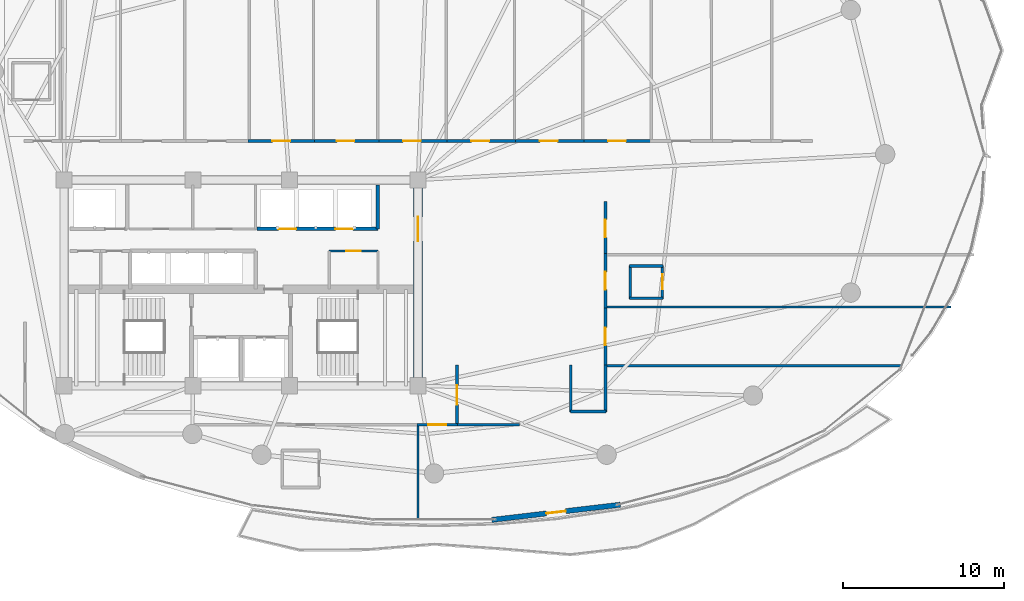
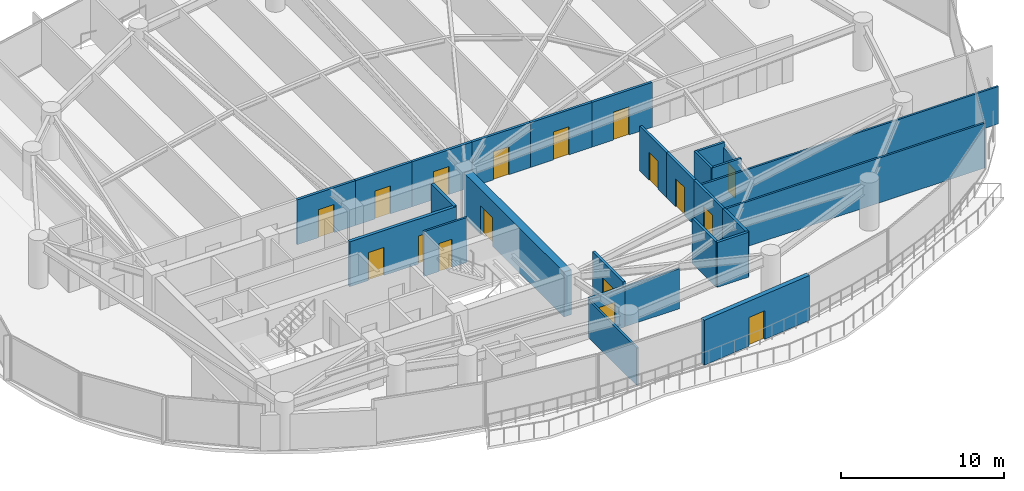
# One storey, part 27 of 34: 27 walls, 17 doors, 17 openings.
"""IFC4 building model written with IfcOpenShell, lengths in metres."""

from ifc_helpers import new_model, si_unit, direction, frame, frame_2d, origin, place, context, subcontext, project, spatial, rectangle, extrude, material, layer, layer_set, type_object, element, fill, save


model = new_model("IFC4")

# Units and contexts
model_context = context("Model", 3, precision=1e-05, world=origin(), true_north=direction((0.0, 1.0)))
body_context = subcontext(model_context, "Body", "Model", "MODEL_VIEW")
ifc_project = project(units=[si_unit("LENGTHUNIT", "METRE"), si_unit("AREAUNIT", "SQUARE_METRE"), si_unit("VOLUMEUNIT", "CUBIC_METRE"), si_unit("PLANEANGLEUNIT", "RADIAN"), si_unit("MASSUNIT", "GRAM", prefix="KILO")], contexts=[model_context])

# Site, building, storey
site_placement = place(None, origin())
site = spatial("IfcSite", under=ifc_project, at=site_placement, CompositionType="ELEMENT")
building_placement = place(site_placement, origin())
building = spatial("IfcBuilding", under=site, at=building_placement, Name="Kazevale Care Tower and Concert Hall", CompositionType="ELEMENT")
storey_placement = place(building_placement, frame((0.0, 0.0, 167.39990234375)))
storey = spatial("IfcBuildingStorey", under=building, at=storey_placement, Name="L44", CompositionType="ELEMENT", Elevation=167.39990234375)

# Wall, opening, door
ifc_material_1 = material(Name="Acoustic Gypsum on Steel Stud", Category="steel")
ifc_layer_1 = layer(ifc_material_1, 0.139892578125)
ifc_layer_set_1 = layer_set([ifc_layer_1], Name="Acoustic Gypsum on Steel Stud")
wall_type_1 = type_object("IfcWallType", Name="Acoustic Care & Suite Partition 140", PredefinedType="PARTITIONING", material=ifc_layer_set_1)
wall_1_placement = place(storey_placement, frame((38.47998046875, 31.97998046875, 0.0), z_axis=(0.0, 0.0, 1.0), x_axis=(1.0, 0.0, 0.0)))
wall_1 = element("IfcWall", 1, at=wall_1_placement, inside=storey, type_object=wall_type_1, Name="wall:L44:kb_en", PredefinedType="PARTITIONING", context=body_context, shape_type="SweptSolid", body=[
    extrude(rectangle(XDim=3.0400390625, YDim=0.139892578125, at=frame_2d((1.52001953125, 0.0))), origin(), (0.0, 0.0, 1.0), 3.360107421875),
])
opening_1_placement = place(wall_1_placement, frame((1.044921875, 0.0, 0.0)))
opening_1 = element("IfcOpeningElement", 2, at=opening_1_placement, cuts=wall_1, Name="Opening ID-900", PredefinedType="OPENING", context=body_context, shape_type="SweptSolid", body=[
    extrude(rectangle(XDim=0.919921875, YDim=2.10009765625, at=frame_2d((0.4599609375, 1.050048828125))), frame((0.0, 0.079833984375, 0.0), z_axis=(0.0, -1.0, 0.0), x_axis=(1.0, 0.0, 0.0)), (0.0, 0.0, 1.0), 0.159912109375),
])
ifc_material_2 = material(Name="Oak Timber Fire Leaf", Category="wood")
door_type_1 = type_object("IfcDoorType", Name="Bathroom & Service Door 920x2100", OperationType="NOTDEFINED", PredefinedType="DOOR", material=ifc_material_2)
door_1_placement = place(opening_1_placement, origin())
door_1 = element("IfcDoor", 3, at=door_1_placement, inside=storey, type_object=door_type_1, Name="door:L44:d_kbe", OperationType="SINGLE_SWING_LEFT", OverallHeight=2.10009765625, OverallWidth=0.919921875, PredefinedType="DOOR", context=body_context, shape_type="SweptSolid", body=[
    extrude(rectangle(XDim=0.919921875, YDim=2.10009765625, at=frame_2d((0.4599609375, 1.050048828125))), frame((0.0, 0.02490234375, 0.0), z_axis=(0.0, -1.0, 0.0), x_axis=(1.0, 0.0, 0.0)), (0.0, 0.0, 1.0), 0.050048828125),
])
fill(opening_1, door_1)

# Walls
wall_2_placement = place(storey_placement, frame((55.6201171875, 24.840087890625, 0.0), z_axis=(0.0, 0.0, 1.0), x_axis=(1.0, 0.0, 0.0)))
element("IfcWall", 4, at=wall_2_placement, inside=storey, type_object=wall_type_1, Name="wall:L44:auto_036", PredefinedType="PARTITIONING", context=body_context, shape_type="SweptSolid", body=[
    extrude(rectangle(XDim=18.44482421875, YDim=0.139892578125, at=frame_2d((9.222412109375, 0.0))), origin(), (0.0, 0.0, 1.0), 3.360107421875),
])
wall_3_placement = place(storey_placement, frame((50.31494140625, 21.175048828125, 0.0), z_axis=(0.0, 0.0, 1.0), x_axis=(-1.0, 0.0, 0.0)))
element("IfcWall", 5, at=wall_3_placement, inside=storey, type_object=wall_type_1, Name="wall:L44:auto_037", PredefinedType="PARTITIONING", context=body_context, shape_type="SweptSolid", body=[
    extrude(rectangle(XDim=3.919921875, YDim=0.139892578125, at=frame_2d((1.9599609375, 0.0))), origin(), (0.0, 0.0, 1.0), 2.99609375),
])
wall_4_placement = place(storey_placement, frame((55.6201171875, 28.5, 0.0), z_axis=(0.0, 0.0, 1.0), x_axis=(1.0, 0.0, 0.0)))
element("IfcWall", 6, at=wall_4_placement, inside=storey, type_object=wall_type_1, Name="wall:L44:auto_038", PredefinedType="PARTITIONING", context=body_context, shape_type="SweptSolid", body=[
    extrude(rectangle(XDim=21.519775390625, YDim=0.139892578125, at=frame_2d((10.759765625, 0.0))), origin(), (0.0, 0.0, 1.0), 2.80615234375),
])
wall_5_placement = place(storey_placement, frame((44.0, 21.205078125, 0.0), z_axis=(0.0, 0.0, 1.0), x_axis=(0.0, -1.0, 0.0)))
element("IfcWall", 7, at=wall_5_placement, inside=storey, type_object=wall_type_1, Name="wall:L44:auto_040", PredefinedType="PARTITIONING", context=body_context, shape_type="SweptSolid", body=[
    extrude(rectangle(XDim=5.906005859375, YDim=0.139892578125, at=frame_2d((2.953125, 0.0))), origin(), (0.0, 0.0, 1.0), 2.80615234375),
])

# Wall, opening, door
ifc_material_3 = material(Name="Concrete C60", Category="concrete")
ifc_layer_2 = layer(ifc_material_3, 0.550048828125)
ifc_layer_set_2 = layer_set([ifc_layer_2], Name="Concrete C60")
wall_type_2 = type_object("IfcWallType", Name="Core Shear Wall 550 C60", PredefinedType="SHEAR", material=ifc_layer_set_2)
wall_6_placement = place(storey_placement, frame((44.0, 23.875, 0.0), z_axis=(0.0, 0.0, 1.0), x_axis=(0.0, 1.0, 0.0)))
wall_6 = element("IfcWall", 8, at=wall_6_placement, inside=storey, type_object=wall_type_2, Name="wall:L44:core:E", PredefinedType="SHEAR", context=body_context, shape_type="SweptSolid", body=[
    extrude(rectangle(XDim=12.25, YDim=0.550048828125, at=frame_2d((6.125, 0.0))), origin(), (0.0, 0.0, 1.0), 3.360107421875),
])
opening_2_placement = place(wall_6_placement, frame((8.72509765625, 0.0, 0.0)))
opening_2 = element("IfcOpeningElement", 9, at=opening_2_placement, cuts=wall_6, Name="Opening FD-60D", PredefinedType="OPENING", context=body_context, shape_type="SweptSolid", body=[
    extrude(rectangle(XDim=1.5, YDim=2.14990234375, at=frame_2d((0.75, 1.074951171875))), frame((0.0, 0.284912109375, 0.0), z_axis=(0.0, -1.0, 0.0), x_axis=(1.0, 0.0, 0.0)), (0.0, 0.0, 1.0), 0.570068359375),
])
door_type_2 = type_object("IfcDoorType", Name="Double Lobby & Auditorium Fire Door 1500x2150", OperationType="NOTDEFINED", PredefinedType="DOOR", material=ifc_material_2)
door_2_placement = place(opening_2_placement, origin())
door_2 = element("IfcDoor", 10, at=door_2_placement, inside=storey, type_object=door_type_2, Name="door:L44:core_east_out", OperationType="DOUBLE_DOOR_SINGLE_SWING", OverallHeight=2.14990234375, OverallWidth=1.5, PredefinedType="DOOR", context=body_context, shape_type="SweptSolid", body=[
    extrude(rectangle(XDim=1.5, YDim=2.14990234375, at=frame_2d((0.75, 1.074951171875))), frame((0.0, 0.02490234375, 0.0), z_axis=(0.0, -1.0, 0.0), x_axis=(1.0, 0.0, 0.0)), (0.0, 0.0, 1.0), 0.050048828125),
])
fill(opening_2, door_2)

# Wall, openings, doors
ifc_material_4 = material(Name="Concrete C40", Category="concrete")
ifc_layer_3 = layer(ifc_material_4, 0.219970703125)
ifc_layer_set_3 = layer_set([ifc_layer_3], Name="Concrete C40")
wall_type_3 = type_object("IfcWallType", Name="Elevator Hoistway Shaft Wall 220", PredefinedType="SOLIDWALL", material=ifc_layer_set_3)
wall_7_placement = place(storey_placement, frame((33.97998046875, 33.35009765625, 0.0), z_axis=(0.0, 0.0, 1.0), x_axis=(1.0, 0.0, 0.0)))
wall_7 = element("IfcWall", 11, at=wall_7_placement, inside=storey, type_object=wall_type_3, Name="wall:L44:c_pm_s", PredefinedType="SOLIDWALL", context=body_context, shape_type="SweptSolid", body=[
    extrude(rectangle(XDim=7.5400390625, YDim=0.219970703125, at=frame_2d((3.77001953125, 0.0))), origin(), (0.0, 0.0, 1.0), 3.360107421875),
])
opening_3_placement = place(wall_7_placement, frame((1.3349609375, 0.0, 0.0)))
opening_3 = element("IfcOpeningElement", 12, at=opening_3_placement, cuts=wall_7, Name="Opening LD-PAX", PredefinedType="OPENING", context=body_context, shape_type="SweptSolid", body=[
    extrude(rectangle(XDim=1.10009765625, YDim=2.10009765625, at=frame_2d((0.550048828125, 1.050048828125))), frame((0.0, 0.119873046875, 0.0), z_axis=(0.0, -1.0, 0.0), x_axis=(1.0, 0.0, 0.0)), (0.0, 0.0, 1.0), 0.239990234375),
])
opening_4_placement = place(wall_7_placement, frame((4.87890625, 0.0, 0.0)))
opening_4 = element("IfcOpeningElement", 13, at=opening_4_placement, cuts=wall_7, Name="Opening LD-PAX", PredefinedType="OPENING", context=body_context, shape_type="SweptSolid", body=[
    extrude(rectangle(XDim=1.10009765625, YDim=2.10009765625, at=frame_2d((0.550048828125, 1.050048828125))), frame((0.0, 0.119873046875, 0.0), z_axis=(0.0, -1.0, 0.0), x_axis=(1.0, 0.0, 0.0)), (0.0, 0.0, 1.0), 0.239990234375),
])
ifc_material_5 = material(Name="Stainless Steel 316", Category="steel")
door_type_3 = type_object("IfcDoorType", Name="Passenger Lift Sliding Landing Door 1100x2100", OperationType="NOTDEFINED", PredefinedType="DOOR", material=ifc_material_5)
door_3_placement = place(opening_3_placement, origin())
door_3 = element("IfcDoor", 14, at=door_3_placement, inside=storey, type_object=door_type_3, Name="door:L44:ld_pm1", OperationType="SLIDING_TO_LEFT", OverallHeight=2.10009765625, OverallWidth=1.10009765625, PredefinedType="DOOR", context=body_context, shape_type="SweptSolid", body=[
    extrude(rectangle(XDim=1.10009765625, YDim=2.10009765625, at=frame_2d((0.550048828125, 1.050048828125))), frame((0.0, 0.02490234375, 0.0), z_axis=(0.0, -1.0, 0.0), x_axis=(1.0, 0.0, 0.0)), (0.0, 0.0, 1.0), 0.050048828125),
])
fill(opening_3, door_3)
door_4_placement = place(opening_4_placement, origin())
door_4 = element("IfcDoor", 15, at=door_4_placement, inside=storey, type_object=door_type_3, Name="door:L44:ld_pm2", OperationType="SLIDING_TO_RIGHT", OverallHeight=2.10009765625, OverallWidth=1.10009765625, PredefinedType="DOOR", context=body_context, shape_type="SweptSolid", body=[
    extrude(rectangle(XDim=1.10009765625, YDim=2.10009765625, at=frame_2d((0.550048828125, 1.050048828125))), frame((0.0, 0.02490234375, 0.0), z_axis=(0.0, -1.0, 0.0), x_axis=(1.0, 0.0, 0.0)), (0.0, 0.0, 1.0), 0.050048828125),
])
fill(opening_4, door_4)

# Wall
wall_8_placement = place(storey_placement, frame((41.5, 33.35009765625, 0.0), z_axis=(0.0, 0.0, 1.0), x_axis=(0.0, 1.0, 0.0)))
element("IfcWall", 16, at=wall_8_placement, inside=storey, type_object=wall_type_3, Name="wall:L44:c_pm_e", PredefinedType="SOLIDWALL", context=body_context, shape_type="SweptSolid", body=[
    extrude(rectangle(XDim=2.75, YDim=0.219970703125, at=frame_2d((1.375, 0.0))), origin(), (0.0, 0.0, 1.0), 3.360107421875),
])

# Wall, opening, door
ifc_material_6 = material(Name="Concrete C40 and Acoustic Gypsum", Category="concrete")
ifc_layer_4 = layer(ifc_material_6, 0.179931640625)
ifc_layer_set_4 = layer_set([ifc_layer_4], Name="Concrete C40 and Acoustic Gypsum")
wall_type_4 = type_object("IfcWallType", Name="Fire-Rated Corridor & Party Wall 180", PredefinedType="PARTITIONING", material=ifc_layer_set_4)
wall_9_placement = place(storey_placement, frame((33.43505859375, 38.824951171875, 0.0), z_axis=(0.0, 0.0, 1.0), x_axis=(1.0, 0.0, 0.0)))
wall_9 = element("IfcWall", 17, at=wall_9_placement, inside=storey, type_object=wall_type_4, Name="wall:L44:auto_005", PredefinedType="PARTITIONING", context=body_context, shape_type="SweptSolid", body=[
    extrude(rectangle(XDim=4.1298828125, YDim=0.179931640625, at=frame_2d((2.06494140625, 0.0))), origin(), (0.0, 0.0, 1.0), 3.360107421875),
])
opening_5_placement = place(wall_9_placement, frame((1.514892578125, 0.0, 0.0)))
opening_5 = element("IfcOpeningElement", 18, at=opening_5_placement, cuts=wall_9, Name="Opening ID-1100", PredefinedType="OPENING", context=body_context, shape_type="SweptSolid", body=[
    extrude(rectangle(XDim=1.10009765625, YDim=2.10009765625, at=frame_2d((0.550048828125, 1.050048828125))), frame((0.0, 0.099853515625, 0.0), z_axis=(0.0, -1.0, 0.0), x_axis=(1.0, 0.0, 0.0)), (0.0, 0.0, 1.0), 0.199951171875),
])
door_type_4 = type_object("IfcDoorType", Name="Care Bedroom Accessible Door 1100x2100", OperationType="NOTDEFINED", PredefinedType="DOOR", material=ifc_material_2)
door_5_placement = place(opening_5_placement, origin())
door_5 = element("IfcDoor", 19, at=door_5_placement, inside=storey, type_object=door_type_4, Name="door:L44:ad_005", OperationType="SINGLE_SWING_LEFT", OverallHeight=2.10009765625, OverallWidth=1.10009765625, PredefinedType="DOOR", context=body_context, shape_type="SweptSolid", body=[
    extrude(rectangle(XDim=1.10009765625, YDim=2.10009765625, at=frame_2d((0.550048828125, 1.050048828125))), frame((0.0, 0.02490234375, 0.0), z_axis=(0.0, -1.0, 0.0), x_axis=(1.0, 0.0, 0.0)), (0.0, 0.0, 1.0), 0.050048828125),
])
fill(opening_5, door_5)

wall_10_placement = place(storey_placement, frame((37.43505859375, 38.824951171875, 0.0), z_axis=(0.0, 0.0, 1.0), x_axis=(1.0, 0.0, 0.0)))
wall_10 = element("IfcWall", 20, at=wall_10_placement, inside=storey, type_object=wall_type_4, Name="wall:L44:auto_006", PredefinedType="PARTITIONING", context=body_context, shape_type="SweptSolid", body=[
    extrude(rectangle(XDim=4.1298828125, YDim=0.179931640625, at=frame_2d((2.06494140625, 0.0))), origin(), (0.0, 0.0, 1.0), 3.360107421875),
])
opening_6_placement = place(wall_10_placement, frame((1.514892578125, 0.0, 0.0)))
opening_6 = element("IfcOpeningElement", 21, at=opening_6_placement, cuts=wall_10, Name="Opening ID-1100", PredefinedType="OPENING", context=body_context, shape_type="SweptSolid", body=[
    extrude(rectangle(XDim=1.10009765625, YDim=2.10009765625, at=frame_2d((0.550048828125, 1.050048828125))), frame((0.0, 0.099853515625, 0.0), z_axis=(0.0, -1.0, 0.0), x_axis=(1.0, 0.0, 0.0)), (0.0, 0.0, 1.0), 0.199951171875),
])
door_6_placement = place(opening_6_placement, origin())
door_6 = element("IfcDoor", 22, at=door_6_placement, inside=storey, type_object=door_type_4, Name="door:L44:ad_006", OperationType="SINGLE_SWING_LEFT", OverallHeight=2.10009765625, OverallWidth=1.10009765625, PredefinedType="DOOR", context=body_context, shape_type="SweptSolid", body=[
    extrude(rectangle(XDim=1.10009765625, YDim=2.10009765625, at=frame_2d((0.550048828125, 1.050048828125))), frame((0.0, 0.02490234375, 0.0), z_axis=(0.0, -1.0, 0.0), x_axis=(1.0, 0.0, 0.0)), (0.0, 0.0, 1.0), 0.050048828125),
])
fill(opening_6, door_6)

wall_11_placement = place(storey_placement, frame((41.43505859375, 38.824951171875, 0.0), z_axis=(0.0, 0.0, 1.0), x_axis=(1.0, 0.0, 0.0)))
wall_11 = element("IfcWall", 23, at=wall_11_placement, inside=storey, type_object=wall_type_4, Name="wall:L44:auto_007", PredefinedType="PARTITIONING", context=body_context, shape_type="SweptSolid", body=[
    extrude(rectangle(XDim=4.3798828125, YDim=0.179931640625, at=frame_2d((2.18994140625, 0.0))), origin(), (0.0, 0.0, 1.0), 3.360107421875),
])
opening_7_placement = place(wall_11_placement, frame((1.639892578125, 0.0, 0.0)))
opening_7 = element("IfcOpeningElement", 24, at=opening_7_placement, cuts=wall_11, Name="Opening ID-1100", PredefinedType="OPENING", context=body_context, shape_type="SweptSolid", body=[
    extrude(rectangle(XDim=1.10009765625, YDim=2.10009765625, at=frame_2d((0.550048828125, 1.050048828125))), frame((0.0, 0.099853515625, 0.0), z_axis=(0.0, -1.0, 0.0), x_axis=(1.0, 0.0, 0.0)), (0.0, 0.0, 1.0), 0.199951171875),
])
door_7_placement = place(opening_7_placement, origin())
door_7 = element("IfcDoor", 25, at=door_7_placement, inside=storey, type_object=door_type_4, Name="door:L44:ad_007", OperationType="SINGLE_SWING_LEFT", OverallHeight=2.10009765625, OverallWidth=1.10009765625, PredefinedType="DOOR", context=body_context, shape_type="SweptSolid", body=[
    extrude(rectangle(XDim=1.10009765625, YDim=2.10009765625, at=frame_2d((0.550048828125, 1.050048828125))), frame((0.0, 0.02490234375, 0.0), z_axis=(0.0, -1.0, 0.0), x_axis=(1.0, 0.0, 0.0)), (0.0, 0.0, 1.0), 0.050048828125),
])
fill(opening_7, door_7)

wall_12_placement = place(storey_placement, frame((45.68505859375, 38.824951171875, 0.0), z_axis=(0.0, 0.0, 1.0), x_axis=(1.0, 0.0, 0.0)))
wall_12 = element("IfcWall", 26, at=wall_12_placement, inside=storey, type_object=wall_type_4, Name="wall:L44:auto_008", PredefinedType="PARTITIONING", context=body_context, shape_type="SweptSolid", body=[
    extrude(rectangle(XDim=4.3798828125, YDim=0.179931640625, at=frame_2d((2.18994140625, 0.0))), origin(), (0.0, 0.0, 1.0), 3.360107421875),
])
opening_8_placement = place(wall_12_placement, frame((1.639892578125, 0.0, 0.0)))
opening_8 = element("IfcOpeningElement", 27, at=opening_8_placement, cuts=wall_12, Name="Opening ID-1100", PredefinedType="OPENING", context=body_context, shape_type="SweptSolid", body=[
    extrude(rectangle(XDim=1.10009765625, YDim=2.10009765625, at=frame_2d((0.550048828125, 1.050048828125))), frame((0.0, 0.099853515625, 0.0), z_axis=(0.0, -1.0, 0.0), x_axis=(1.0, 0.0, 0.0)), (0.0, 0.0, 1.0), 0.199951171875),
])
door_8_placement = place(opening_8_placement, origin())
door_8 = element("IfcDoor", 28, at=door_8_placement, inside=storey, type_object=door_type_4, Name="door:L44:ad_008", OperationType="SINGLE_SWING_LEFT", OverallHeight=2.10009765625, OverallWidth=1.10009765625, PredefinedType="DOOR", context=body_context, shape_type="SweptSolid", body=[
    extrude(rectangle(XDim=1.10009765625, YDim=2.10009765625, at=frame_2d((0.550048828125, 1.050048828125))), frame((0.0, 0.02490234375, 0.0), z_axis=(0.0, -1.0, 0.0), x_axis=(1.0, 0.0, 0.0)), (0.0, 0.0, 1.0), 0.050048828125),
])
fill(opening_8, door_8)

wall_13_placement = place(storey_placement, frame((49.93505859375, 38.824951171875, 0.0), z_axis=(0.0, 0.0, 1.0), x_axis=(1.0, 0.0, 0.0)))
wall_13 = element("IfcWall", 29, at=wall_13_placement, inside=storey, type_object=wall_type_4, Name="wall:L44:auto_009", PredefinedType="PARTITIONING", context=body_context, shape_type="SweptSolid", body=[
    extrude(rectangle(XDim=4.3798828125, YDim=0.179931640625, at=frame_2d((2.18994140625, 0.0))), origin(), (0.0, 0.0, 1.0), 3.360107421875),
])
opening_9_placement = place(wall_13_placement, frame((1.639892578125, 0.0, 0.0)))
opening_9 = element("IfcOpeningElement", 30, at=opening_9_placement, cuts=wall_13, Name="Opening ID-1100", PredefinedType="OPENING", context=body_context, shape_type="SweptSolid", body=[
    extrude(rectangle(XDim=1.10009765625, YDim=2.10009765625, at=frame_2d((0.550048828125, 1.050048828125))), frame((0.0, 0.099853515625, 0.0), z_axis=(0.0, -1.0, 0.0), x_axis=(1.0, 0.0, 0.0)), (0.0, 0.0, 1.0), 0.199951171875),
])
door_9_placement = place(opening_9_placement, origin())
door_9 = element("IfcDoor", 31, at=door_9_placement, inside=storey, type_object=door_type_4, Name="door:L44:ad_009", OperationType="SINGLE_SWING_LEFT", OverallHeight=2.10009765625, OverallWidth=1.10009765625, PredefinedType="DOOR", context=body_context, shape_type="SweptSolid", body=[
    extrude(rectangle(XDim=1.10009765625, YDim=2.10009765625, at=frame_2d((0.550048828125, 1.050048828125))), frame((0.0, 0.02490234375, 0.0), z_axis=(0.0, -1.0, 0.0), x_axis=(1.0, 0.0, 0.0)), (0.0, 0.0, 1.0), 0.050048828125),
])
fill(opening_9, door_9)

wall_14_placement = place(storey_placement, frame((54.18505859375, 38.824951171875, 0.0), z_axis=(0.0, 0.0, 1.0), x_axis=(1.0, 0.0, 0.0)))
wall_14 = element("IfcWall", 32, at=wall_14_placement, inside=storey, type_object=wall_type_4, Name="wall:L44:auto_010", PredefinedType="PARTITIONING", context=body_context, shape_type="SweptSolid", body=[
    extrude(rectangle(XDim=4.3798828125, YDim=0.179931640625, at=frame_2d((2.18994140625, 0.0))), origin(), (0.0, 0.0, 1.0), 3.360107421875),
])
opening_10_placement = place(wall_14_placement, frame((1.639892578125, 0.0, 0.0)))
opening_10 = element("IfcOpeningElement", 33, at=opening_10_placement, cuts=wall_14, Name="Opening ID-1100", PredefinedType="OPENING", context=body_context, shape_type="SweptSolid", body=[
    extrude(rectangle(XDim=1.10009765625, YDim=2.10009765625, at=frame_2d((0.550048828125, 1.050048828125))), frame((0.0, 0.099853515625, 0.0), z_axis=(0.0, -1.0, 0.0), x_axis=(1.0, 0.0, 0.0)), (0.0, 0.0, 1.0), 0.199951171875),
])
door_10_placement = place(opening_10_placement, origin())
door_10 = element("IfcDoor", 34, at=door_10_placement, inside=storey, type_object=door_type_4, Name="door:L44:ad_010", OperationType="SINGLE_SWING_LEFT", OverallHeight=2.10009765625, OverallWidth=1.10009765625, PredefinedType="DOOR", context=body_context, shape_type="SweptSolid", body=[
    extrude(rectangle(XDim=1.10009765625, YDim=2.10009765625, at=frame_2d((0.550048828125, 1.050048828125))), frame((0.0, 0.02490234375, 0.0), z_axis=(0.0, -1.0, 0.0), x_axis=(1.0, 0.0, 0.0)), (0.0, 0.0, 1.0), 0.050048828125),
])
fill(opening_10, door_10)

wall_15_placement = place(storey_placement, frame((46.425048828125, 24.905029296875, 0.0), z_axis=(0.0, 0.0, 1.0), x_axis=(0.0, -1.0, 0.0)))
wall_15 = element("IfcWall", 35, at=wall_15_placement, inside=storey, type_object=wall_type_4, Name="wall:L44:auto_014", PredefinedType="PARTITIONING", context=body_context, shape_type="SweptSolid", body=[
    extrude(rectangle(XDim=3.760009765625, YDim=0.179931640625, at=frame_2d((1.8798828125, 0.0))), origin(), (0.0, 0.0, 1.0), 3.360107421875),
])
opening_11_placement = place(wall_15_placement, frame((1.280029296875, 0.0, 0.0)))
opening_11 = element("IfcOpeningElement", 36, at=opening_11_placement, cuts=wall_15, Name="Opening ID-1200", PredefinedType="OPENING", context=body_context, shape_type="SweptSolid", body=[
    extrude(rectangle(XDim=1.199951171875, YDim=2.14990234375, at=frame_2d((0.60009765625, 1.074951171875))), frame((0.0, 0.099853515625, 0.0), z_axis=(0.0, -1.0, 0.0), x_axis=(1.0, 0.0, 0.0)), (0.0, 0.0, 1.0), 0.199951171875),
])
door_type_5 = type_object("IfcDoorType", Name="Clinical & Therapy Door 1200x2150", OperationType="NOTDEFINED", PredefinedType="DOOR", material=ifc_material_2)
door_11_placement = place(opening_11_placement, origin())
door_11 = element("IfcDoor", 37, at=door_11_placement, inside=storey, type_object=door_type_5, Name="door:L44:ad_014", OperationType="SINGLE_SWING_LEFT", OverallHeight=2.14990234375, OverallWidth=1.199951171875, PredefinedType="DOOR", context=body_context, shape_type="SweptSolid", body=[
    extrude(rectangle(XDim=1.199951171875, YDim=2.14990234375, at=frame_2d((0.60009765625, 1.074951171875))), frame((0.0, 0.02490234375, 0.0), z_axis=(0.0, -1.0, 0.0), x_axis=(1.0, 0.0, 0.0)), (0.0, 0.0, 1.0), 0.050048828125),
])
fill(opening_11, door_11)

# Walls
for number, where, z_axis, x_axis, name in (
    (38, (55.64990234375, 24.905029296875, 0.0), (0.0, 0.0, 1.0), (0.0, -1.0, 0.0), "wall:L44:auto_015"),
    (39, (53.5, 21.969970703125, 0.0), (0.0, 0.0, 1.0), (0.0, 1.0, 0.0), "wall:L44:auto_016"),
):
    element("IfcWall", number, at=place(storey_placement, frame(where, z_axis=z_axis, x_axis=x_axis)), inside=storey, type_object=wall_type_4, Name=name, PredefinedType="PARTITIONING", context=body_context, shape_type="SweptSolid", body=[
        extrude(rectangle(XDim=2.93505859375, YDim=0.179931640625, at=frame_2d((1.467529296875, 0.0))), origin(), (0.0, 0.0, 1.0), 3.360107421875),
    ])
wall_16_placement = place(storey_placement, frame((55.679931640625, 22.0, 0.0), z_axis=(0.0, 0.0, 1.0), x_axis=(-1.0, 0.0, 0.0)))
element("IfcWall", 40, at=wall_16_placement, inside=storey, type_object=wall_type_4, Name="wall:L44:auto_017", PredefinedType="PARTITIONING", context=body_context, shape_type="SweptSolid", body=[
    extrude(rectangle(XDim=2.2099609375, YDim=0.179931640625, at=frame_2d((1.10498046875, 0.0))), origin(), (0.0, 0.0, 1.0), 3.360107421875),
])

# Wall, opening, door
wall_17_placement = place(storey_placement, frame((55.64990234375, 28.56494140625, 0.0), z_axis=(0.0, 0.0, 1.0), x_axis=(0.0, -1.0, 0.0)))
wall_17 = element("IfcWall", 41, at=wall_17_placement, inside=storey, type_object=wall_type_4, Name="wall:L44:auto_018", PredefinedType="PARTITIONING", context=body_context, shape_type="SweptSolid", body=[
    extrude(rectangle(XDim=3.7900390625, YDim=0.179931640625, at=frame_2d((1.89501953125, 0.0))), origin(), (0.0, 0.0, 1.0), 3.360107421875),
])
opening_12_placement = place(wall_17_placement, frame((1.344970703125, 0.0, 0.0)))
opening_12 = element("IfcOpeningElement", 42, at=opening_12_placement, cuts=wall_17, Name="Opening ID-1100", PredefinedType="OPENING", context=body_context, shape_type="SweptSolid", body=[
    extrude(rectangle(XDim=1.10009765625, YDim=2.10009765625, at=frame_2d((0.550048828125, 1.050048828125))), frame((0.0, 0.099853515625, 0.0), z_axis=(0.0, -1.0, 0.0), x_axis=(1.0, 0.0, 0.0)), (0.0, 0.0, 1.0), 0.199951171875),
])
door_12_placement = place(opening_12_placement, origin())
door_12 = element("IfcDoor", 43, at=door_12_placement, inside=storey, type_object=door_type_4, Name="door:L44:ad_018", OperationType="SINGLE_SWING_LEFT", OverallHeight=2.10009765625, OverallWidth=1.10009765625, PredefinedType="DOOR", context=body_context, shape_type="SweptSolid", body=[
    extrude(rectangle(XDim=1.10009765625, YDim=2.10009765625, at=frame_2d((0.550048828125, 1.050048828125))), frame((0.0, 0.02490234375, 0.0), z_axis=(0.0, -1.0, 0.0), x_axis=(1.0, 0.0, 0.0)), (0.0, 0.0, 1.0), 0.050048828125),
])
fill(opening_12, door_12)

wall_18_placement = place(storey_placement, frame((55.64990234375, 31.81494140625, 0.0), z_axis=(0.0, 0.0, 1.0), x_axis=(0.0, -1.0, 0.0)))
wall_18 = element("IfcWall", 44, at=wall_18_placement, inside=storey, type_object=wall_type_4, Name="wall:L44:auto_019", PredefinedType="PARTITIONING", context=body_context, shape_type="SweptSolid", body=[
    extrude(rectangle(XDim=3.3798828125, YDim=0.179931640625, at=frame_2d((1.68994140625, 0.0))), origin(), (0.0, 0.0, 1.0), 3.360107421875),
])
opening_13_placement = place(wall_18_placement, frame((1.139892578125, 0.0, 0.0)))
opening_13 = element("IfcOpeningElement", 45, at=opening_13_placement, cuts=wall_18, Name="Opening ID-1100", PredefinedType="OPENING", context=body_context, shape_type="SweptSolid", body=[
    extrude(rectangle(XDim=1.10009765625, YDim=2.10009765625, at=frame_2d((0.550048828125, 1.050048828125))), frame((0.0, 0.099853515625, 0.0), z_axis=(0.0, -1.0, 0.0), x_axis=(1.0, 0.0, 0.0)), (0.0, 0.0, 1.0), 0.199951171875),
])
door_13_placement = place(opening_13_placement, origin())
door_13 = element("IfcDoor", 46, at=door_13_placement, inside=storey, type_object=door_type_4, Name="door:L44:ad_019", OperationType="SINGLE_SWING_LEFT", OverallHeight=2.10009765625, OverallWidth=1.10009765625, PredefinedType="DOOR", context=body_context, shape_type="SweptSolid", body=[
    extrude(rectangle(XDim=1.10009765625, YDim=2.10009765625, at=frame_2d((0.550048828125, 1.050048828125))), frame((0.0, 0.02490234375, 0.0), z_axis=(0.0, -1.0, 0.0), x_axis=(1.0, 0.0, 0.0)), (0.0, 0.0, 1.0), 0.050048828125),
])
fill(opening_13, door_13)

wall_19_placement = place(storey_placement, frame((55.64990234375, 35.06494140625, 0.0), z_axis=(0.0, 0.0, 1.0), x_axis=(0.0, -1.0, 0.0)))
wall_19 = element("IfcWall", 47, at=wall_19_placement, inside=storey, type_object=wall_type_4, Name="wall:L44:auto_020", PredefinedType="PARTITIONING", context=body_context, shape_type="SweptSolid", body=[
    extrude(rectangle(XDim=3.3798828125, YDim=0.179931640625, at=frame_2d((1.68994140625, 0.0))), origin(), (0.0, 0.0, 1.0), 3.360107421875),
])
opening_14_placement = place(wall_19_placement, frame((1.139892578125, 0.0, 0.0)))
opening_14 = element("IfcOpeningElement", 48, at=opening_14_placement, cuts=wall_19, Name="Opening ID-1100", PredefinedType="OPENING", context=body_context, shape_type="SweptSolid", body=[
    extrude(rectangle(XDim=1.10009765625, YDim=2.10009765625, at=frame_2d((0.550048828125, 1.050048828125))), frame((0.0, 0.099853515625, 0.0), z_axis=(0.0, -1.0, 0.0), x_axis=(1.0, 0.0, 0.0)), (0.0, 0.0, 1.0), 0.199951171875),
])
door_14_placement = place(opening_14_placement, origin())
door_14 = element("IfcDoor", 49, at=door_14_placement, inside=storey, type_object=door_type_4, Name="door:L44:ad_020", OperationType="SINGLE_SWING_LEFT", OverallHeight=2.10009765625, OverallWidth=1.10009765625, PredefinedType="DOOR", context=body_context, shape_type="SweptSolid", body=[
    extrude(rectangle(XDim=1.10009765625, YDim=2.10009765625, at=frame_2d((0.550048828125, 1.050048828125))), frame((0.0, 0.02490234375, 0.0), z_axis=(0.0, -1.0, 0.0), x_axis=(1.0, 0.0, 0.0)), (0.0, 0.0, 1.0), 0.050048828125),
])
fill(opening_14, door_14)

wall_20_placement = place(storey_placement, frame((46.455078125, 21.175048828125, 0.0), z_axis=(0.0, 0.0, 1.0), x_axis=(-1.0, 0.0, 0.0)))
wall_20 = element("IfcWall", 50, at=wall_20_placement, inside=storey, type_object=wall_type_4, Name="wall:L44:auto_022", PredefinedType="PARTITIONING", context=body_context, shape_type="SweptSolid", body=[
    extrude(rectangle(XDim=2.52001953125, YDim=0.179931640625, at=frame_2d((1.260009765625, 0.0))), origin(), (0.0, 0.0, 1.0), 2.99609375),
])
opening_15_placement = place(wall_20_placement, frame((0.7099609375, 0.0, 0.0)))
opening_15 = element("IfcOpeningElement", 51, at=opening_15_placement, cuts=wall_20, Name="Opening ID-1100", PredefinedType="OPENING", context=body_context, shape_type="SweptSolid", body=[
    extrude(rectangle(XDim=1.10009765625, YDim=2.10009765625, at=frame_2d((0.550048828125, 1.050048828125))), frame((0.0, 0.099853515625, 0.0), z_axis=(0.0, -1.0, 0.0), x_axis=(1.0, 0.0, 0.0)), (0.0, 0.0, 1.0), 0.199951171875),
])
door_15_placement = place(opening_15_placement, origin())
door_15 = element("IfcDoor", 52, at=door_15_placement, inside=storey, type_object=door_type_4, Name="door:L44:ad_022", OperationType="SINGLE_SWING_LEFT", OverallHeight=2.10009765625, OverallWidth=1.10009765625, PredefinedType="DOOR", context=body_context, shape_type="SweptSolid", body=[
    extrude(rectangle(XDim=1.10009765625, YDim=2.10009765625, at=frame_2d((0.550048828125, 1.050048828125))), frame((0.0, 0.02490234375, 0.0), z_axis=(0.0, -1.0, 0.0), x_axis=(1.0, 0.0, 0.0)), (0.0, 0.0, 1.0), 0.050048828125),
])
fill(opening_15, door_15)

# Walls
ifc_layer_5 = layer(ifc_material_1, 0.159912109375)
ifc_layer_set_5 = layer_set([ifc_layer_5], Name="Acoustic Gypsum on Steel Stud")
wall_type_5 = type_object("IfcWallType", Name="Moisture-Resistant Bathroom Plumbing Wall 160", PredefinedType="PLUMBINGWALL", material=ifc_layer_set_5)
for number, where, z_axis, x_axis, name in (
    (53, (57.159912109375, 29.050048828125, 0.0), (0.0, 0.0, 1.0), (1.0, 0.0, 0.0), "wall:L44:eb2a_ens_ws"),
    (54, (57.159912109375, 31.050048828125, 0.0), (0.0, 0.0, 1.0), (1.0, 0.0, 0.0), "wall:L44:eb2a_ens_wn"),
    (55, (57.199951171875, 29.010009765625, 0.0), (0.0, 0.0, 1.0), (0.0, 1.0, 0.0), "wall:L44:eb2a_ens_ww"),
):
    element("IfcWall", number, at=place(storey_placement, frame(where, z_axis=z_axis, x_axis=x_axis)), inside=storey, type_object=wall_type_5, Name=name, PredefinedType="PLUMBINGWALL", context=body_context, shape_type="SweptSolid", body=[
        extrude(rectangle(XDim=2.080078125, YDim=0.159912109375, at=frame_2d((1.0400390625, 0.0))), origin(), (0.0, 0.0, 1.0), 3.360107421875),
    ])

# Wall, opening, door
wall_21_placement = place(storey_placement, frame((59.199951171875, 29.010009765625, 0.0), z_axis=(0.0, 0.0, 1.0), x_axis=(0.0, 1.0, 0.0)))
wall_21 = element("IfcWall", 56, at=wall_21_placement, inside=storey, type_object=wall_type_5, Name="wall:L44:eb2a_ens_we", PredefinedType="PLUMBINGWALL", context=body_context, shape_type="SweptSolid", body=[
    extrude(rectangle(XDim=2.080078125, YDim=0.159912109375, at=frame_2d((1.0400390625, 0.0))), origin(), (0.0, 0.0, 1.0), 2.99609375),
])
opening_16_placement = place(wall_21_placement, frame((0.590087890625, 0.0, 0.0)))
opening_16 = element("IfcOpeningElement", 57, at=opening_16_placement, cuts=wall_21, Name="Opening ID-900", PredefinedType="OPENING", context=body_context, shape_type="SweptSolid", body=[
    extrude(rectangle(XDim=0.919921875, YDim=2.10009765625, at=frame_2d((0.4599609375, 1.050048828125))), frame((0.0, 0.08984375, 0.0), z_axis=(0.0, -1.0, 0.0), x_axis=(1.0, 0.0, 0.0)), (0.0, 0.0, 1.0), 0.179931640625),
])
door_16_placement = place(opening_16_placement, origin())
door_16 = element("IfcDoor", 58, at=door_16_placement, inside=storey, type_object=door_type_1, Name="door:L44:eb2a_ens_d", OperationType="SINGLE_SWING_LEFT", OverallHeight=2.10009765625, OverallWidth=0.919921875, PredefinedType="DOOR", context=body_context, shape_type="SweptSolid", body=[
    extrude(rectangle(XDim=0.919921875, YDim=2.10009765625, at=frame_2d((0.4599609375, 1.050048828125))), frame((0.0, 0.02490234375, 0.0), z_axis=(0.0, -1.0, 0.0), x_axis=(1.0, 0.0, 0.0)), (0.0, 0.0, 1.0), 0.050048828125),
])
fill(opening_16, door_16)

ifc_material_7 = material(Name="Concrete C40 with Honed Limestone Cladding", Category="masonry")
ifc_layer_6 = layer(ifc_material_7, 0.320068359375)
ifc_layer_set_6 = layer_set([ifc_layer_6], Name="Concrete C40 with Honed Limestone Cladding")
wall_type_6 = type_object("IfcWallType", Name="Tower Honed Limestone Spandrel Wall 320", PredefinedType="STANDARD", material=ifc_layer_set_6)
wall_22_placement = place(storey_placement, frame((56.5869140625, 16.205078125, 0.0), z_axis=(0.0, 0.0, 1.0), x_axis=(-0.993072847957, -0.117500292131, 0.0)))
wall_22 = element("IfcWall", 59, at=wall_22_placement, inside=storey, type_object=wall_type_6, Name="wall:L44:bal_host", PredefinedType="STANDARD", context=body_context, shape_type="SweptSolid", body=[
    extrude(rectangle(XDim=8.059814453125, YDim=0.320068359375, at=frame_2d((4.02978515625, 0.0))), origin(), (0.0, 0.0, 1.0), 3.360107421875),
])
opening_17_placement = place(wall_22_placement, frame((3.429931640625, 0.0, 0.0)))
opening_17 = element("IfcOpeningElement", 60, at=opening_17_placement, cuts=wall_22, Name="Opening BD-1200", PredefinedType="OPENING", context=body_context, shape_type="SweptSolid", body=[
    extrude(rectangle(XDim=1.199951171875, YDim=2.14990234375, at=frame_2d((0.60009765625, 1.074951171875))), frame((0.0, 0.169921875, 0.0), z_axis=(0.0, -1.0, 0.0), x_axis=(1.0, 0.0, 0.0)), (0.0, 0.0, 1.0), 0.340087890625),
])
ifc_material_8 = material(Name="Aluminium 6063-T6 and Low-E Glass", Category="aluminium")
door_type_6 = type_object("IfcDoorType", Name="Sheltered Balcony Glazed Door 1200x2150", OperationType="NOTDEFINED", PredefinedType="DOOR", material=ifc_material_8)
door_17_placement = place(opening_17_placement, origin())
door_17 = element("IfcDoor", 61, at=door_17_placement, inside=storey, type_object=door_type_6, Name="door:L44:BD-1", OperationType="SINGLE_SWING_LEFT", OverallHeight=2.14990234375, OverallWidth=1.199951171875, PredefinedType="DOOR", context=body_context, shape_type="SweptSolid", body=[
    extrude(rectangle(XDim=1.199951171875, YDim=2.14990234375, at=frame_2d((0.60009765625, 1.074951171875))), frame((0.0, 0.02490234375, 0.0), z_axis=(0.0, -1.0, 0.0), x_axis=(1.0, 0.0, 0.0)), (0.0, 0.0, 1.0), 0.050048828125),
])
fill(opening_17, door_17)

save(model, "model.ifc")
